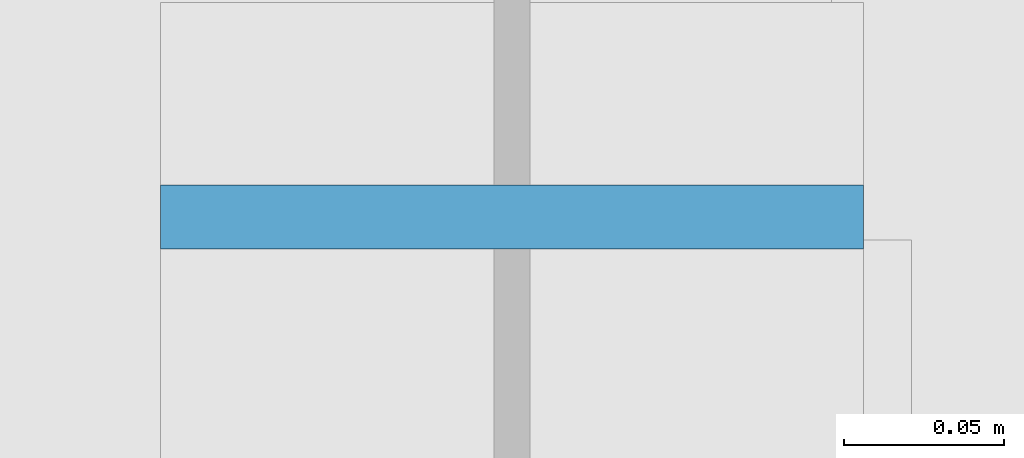
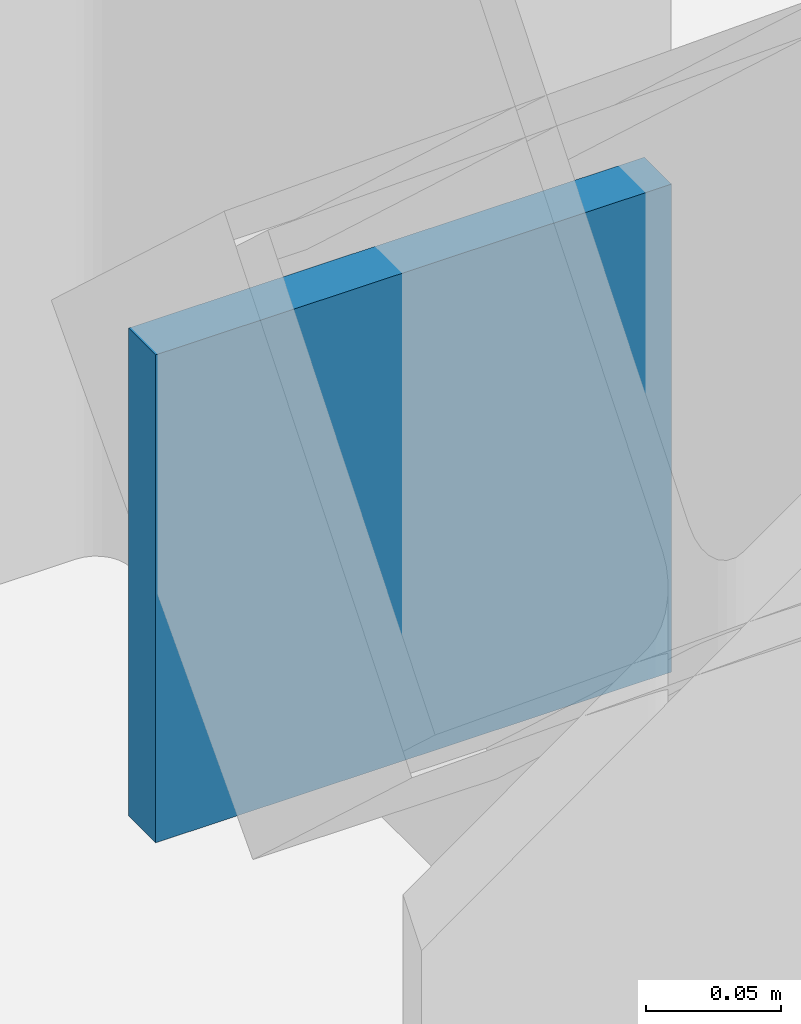
# One storey, part 79 of 100: 1 plate.
"""IFC4 building model written with IfcOpenShell, lengths in metres."""

from ifc_helpers import new_model, si_unit, derived_unit, direction, frame, origin, origin_2d, place, context, subcontext, project, spatial, rectangle, extrude, material, layer, layer_set, type_object, element, save


model = new_model("IFC4")

# Units and contexts
model_context = context("Model", 3, precision=1e-05, world=origin(), true_north=direction((0.0, 1.0)))
body_context = subcontext(model_context, "Body", "Model", "MODEL_VIEW")
ifc_project = project(units=[si_unit("LENGTHUNIT", "METRE"), si_unit("AREAUNIT", "SQUARE_METRE"), si_unit("VOLUMEUNIT", "CUBIC_METRE"), si_unit("PLANEANGLEUNIT", "RADIAN"), si_unit("MASSUNIT", "GRAM", prefix="KILO"), derived_unit("THERMALTRANSMITTANCEUNIT", [(si_unit("POWERUNIT", "WATT"), 1), (si_unit("LENGTHUNIT", "METRE"), -2), (si_unit("THERMODYNAMICTEMPERATUREUNIT", "KELVIN"), -1)])], contexts=[model_context])

# Site, building, storey
site_placement = place(None, origin())
site = spatial("IfcSite", under=ifc_project, at=site_placement, CompositionType="ELEMENT")
building_placement = place(site_placement, origin())
building = spatial("IfcBuilding", under=site, at=building_placement, Name="Nallur Shell Playhouse", CompositionType="ELEMENT")
storey_placement = place(building_placement, frame((0.0, 0.0, 10.199951171875)))
storey = spatial("IfcBuildingStorey", under=building, at=storey_placement, Name="L03", CompositionType="ELEMENT", Elevation=10.199951171875)

# Plate
ifc_material = material(Name="Steel E350", Category="steel")
ifc_layer = layer(ifc_material, 0.02001953125)
ifc_layer_set = layer_set([ifc_layer], Name="Steel E350")
plate_type = type_object("IfcPlateType", Name="PT-ENDCAP-20", PredefinedType="SHEET", material=ifc_layer_set)
plate_placement = place(storey_placement, frame((64.0, 65.00732421875, 0.033203125), z_axis=(0.0, 0.0, 1.0), x_axis=(1.0, 0.0, 0.0)))
element("IfcPlate", 1, at=plate_placement, inside=storey, type_object=plate_type, Name="Hollow end cap EC-BR-FT-L03-018-0", PredefinedType="SHEET", context=body_context, shape_type="SweptSolid", body=[
    extrude(rectangle(XDim=0.219970703125, YDim=0.02001953125, at=origin_2d()), origin(), (0.0, 0.0, 1.0), 0.219970703125),
])

save(model, "model.ifc")
